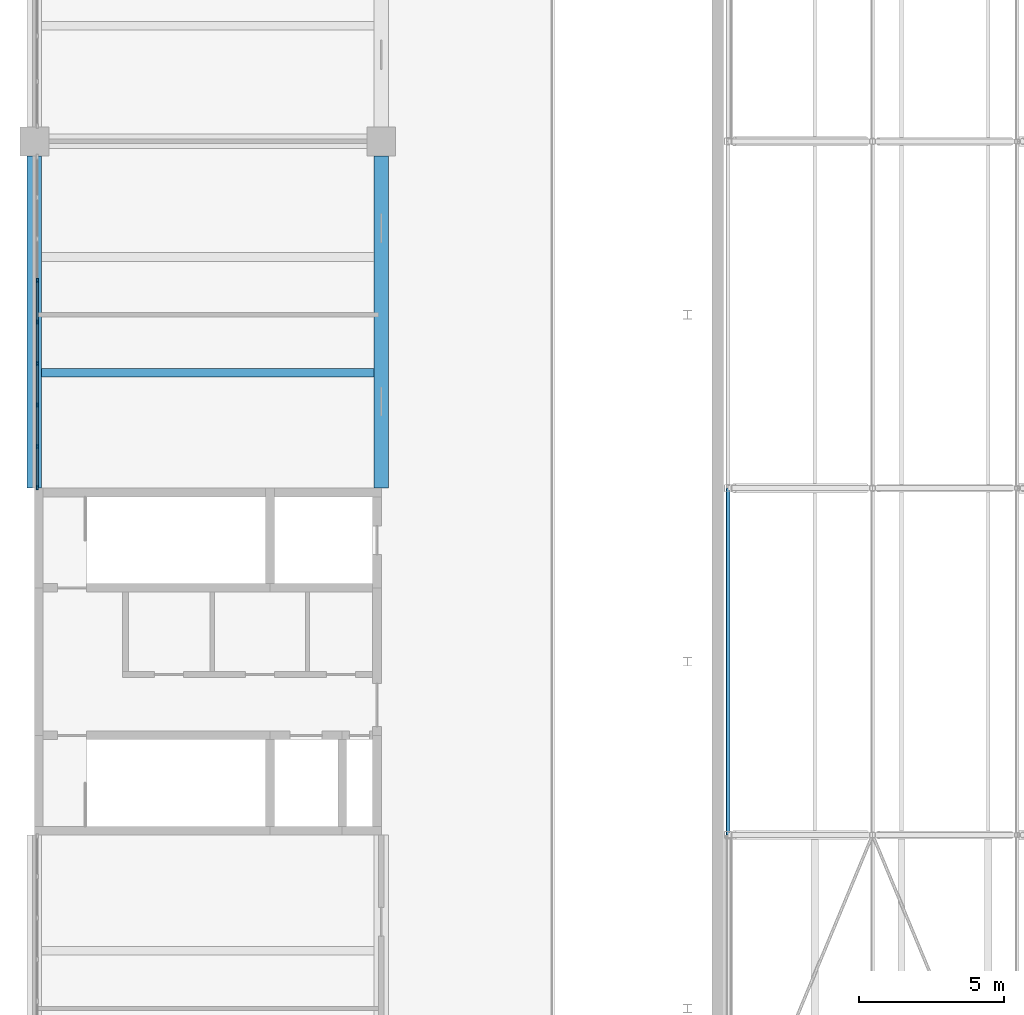
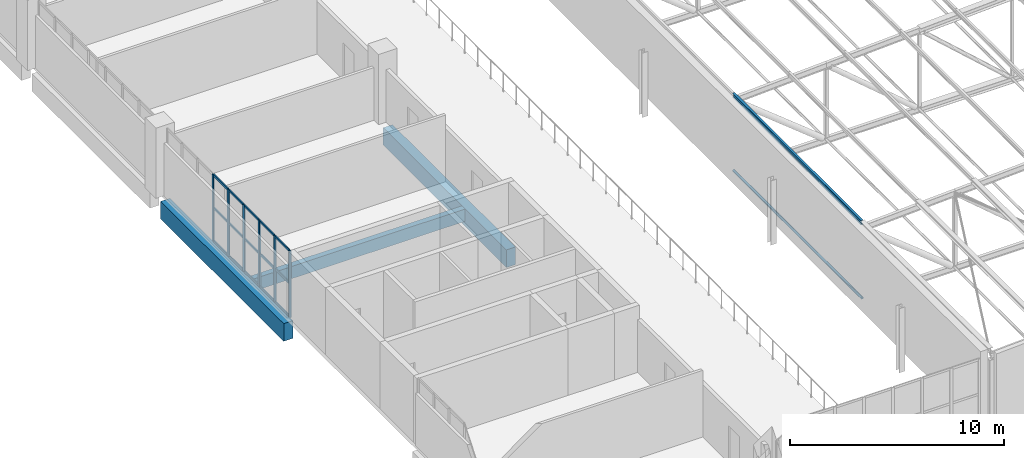
# One storey, part 11 of 156: 23 members, 3 beams, 1 element without a shape of its own.
"""IFC4 building model written with IfcOpenShell, lengths in metres."""

import ifcopenshell
import ifcopenshell.guid

model = None  # the IFC model being written
_history = None  # IfcOwnerHistory: only IFC2X3 demands one
_inside = {}  # id of a spatial element -> (the spatial element, [elements in it])
_under = {}  # id of a project, library or spatial element -> (it, [spatial elements below it])
_declared = {}  # id of a project -> (the project, [libraries it declares])
_typed = {}  # id of a type object -> (the type object, [elements of that type])
_made_of = {}  # id of a material, layer set ... -> (it, [elements and type objects made of it])


def new_model(schema):
    """Start an empty IFC model of exactly this schema.

    Asked for "IFC4X3", IfcOpenShell would pick the latest addendum, in which some entities
    have other attributes; the version numbers below select the first issue.
    IFC2X3 requires an IfcOwnerHistory on every rooted entity: one is made here for all.
    """
    global model, _history
    if schema == "IFC4X3":
        model = ifcopenshell.file(schema_version=(4, 3, 0, 0))
    else:
        model = ifcopenshell.file(schema=schema)
    _inside.clear()
    _under.clear()
    _declared.clear()
    _typed.clear()
    _made_of.clear()
    _history = None
    if model.schema == "IFC2X3":
        org = make("IfcOrganization", Name="unknown")
        user = make(
            "IfcPersonAndOrganization",
            ThePerson=make("IfcPerson", FamilyName="unknown"),
            TheOrganization=org,
        )
        app = make(
            "IfcApplication",
            ApplicationDeveloper=org,
            Version="unknown",
            ApplicationFullName="unknown",
            ApplicationIdentifier="unknown",
        )
        _history = make(
            "IfcOwnerHistory",
            OwningUser=user,
            OwningApplication=app,
            ChangeAction="ADDED",
            CreationDate=0,
        )
    return model


def make(cls, **values):
    """One entity of the class cls with the attributes given. An attribute that is None is left unset."""
    return model.create_entity(
        cls, **{name: value for name, value in values.items() if value is not None}
    )


def rooted(cls, **values):
    """An entity with a GlobalId (a new one), such as an element, a storey or a relation."""
    return make(cls, GlobalId=ifcopenshell.guid.new(), OwnerHistory=_history, **values)


def si_unit(unit_type, name, prefix=None):
    """IfcSIUnit, for example si_unit("LENGTHUNIT", "METRE", prefix="MILLI")."""
    return make("IfcSIUnit", UnitType=unit_type, Prefix=prefix, Name=name)


def assignment(units):
    """IfcUnitAssignment: the units of a project."""
    return None if units is None else make("IfcUnitAssignment", Units=units)


def point(xyz):
    """IfcCartesianPoint."""
    return None if xyz is None else make("IfcCartesianPoint", Coordinates=xyz)


def direction(xyz):
    """IfcDirection."""
    return None if xyz is None else make("IfcDirection", DirectionRatios=xyz)


def frame(location, z_axis=None, x_axis=None):
    """IfcAxis2Placement3D, a coordinate frame: its origin and axes. An axis left out is left unset."""
    return make(
        "IfcAxis2Placement3D",
        Location=point(location),
        Axis=direction(z_axis),
        RefDirection=direction(x_axis),
    )


def frame_2d(location, x_axis=None):
    """IfcAxis2Placement2D, a coordinate frame in the plane: its origin and x axis."""
    return make(
        "IfcAxis2Placement2D", Location=point(location), RefDirection=direction(x_axis)
    )


def origin():
    """The frame at (0, 0, 0) with its axes left unset."""
    return frame((0.0, 0.0, 0.0))


def origin_2d():
    """The frame at (0, 0) in the plane with its x axis left unset."""
    return frame_2d((0.0, 0.0))


def place(relative_to, where):
    """IfcLocalPlacement: puts the frame where relative to a parent placement (None: the world)."""
    return make(
        "IfcLocalPlacement", PlacementRelTo=relative_to, RelativePlacement=where
    )


def context(
    kind, dimensions, precision=None, world=None, true_north=None, identifier=None
):
    """IfcGeometricRepresentationContext, for example the 3D "Model" context."""
    return make(
        "IfcGeometricRepresentationContext",
        ContextIdentifier=identifier,
        ContextType=kind,
        CoordinateSpaceDimension=dimensions,
        Precision=precision,
        WorldCoordinateSystem=world,
        TrueNorth=true_north,
    )


def subcontext(parent, identifier, kind, view, scale=None):
    """IfcGeometricRepresentationSubContext, for example "Body" below "Model"."""
    return make(
        "IfcGeometricRepresentationSubContext",
        ContextIdentifier=identifier,
        ContextType=kind,
        ParentContext=parent,
        TargetScale=scale,
        TargetView=view,
    )


def project(units=None, contexts=None):
    """IfcProject with its units and contexts."""
    return rooted(
        "IfcProject",
        Name="project",
        RepresentationContexts=contexts,
        UnitsInContext=assignment(units),
    )


def spatial(cls, under=None, at=None, **own):
    """A site, building, storey or space (cls), placed at a placement, below another one or the project."""
    s = rooted(cls, ObjectPlacement=at, **own)
    if under is not None:
        _under.setdefault(under.id(), (under, []))[1].append(s)
    return s


def profile(cls, at=None, kind="AREA", **sizes):
    """A parametric profile (cls). Its sizes go by their IFC names, for example OverallWidth=200.0."""
    return make(cls, ProfileType=kind, Position=at, **sizes)


def rectangle(**sizes):
    """IfcRectangleProfileDef."""
    return profile("IfcRectangleProfileDef", **sizes)


def hollow_circle(**sizes):
    """IfcCircleHollowProfileDef."""
    return profile("IfcCircleHollowProfileDef", **sizes)


def i_section(**sizes):
    """IfcIShapeProfileDef."""
    return profile("IfcIShapeProfileDef", **sizes)


def extrude(swept, where, along, depth):
    """IfcExtrudedAreaSolid: the profile swept, set in the frame where, extruded along a direction by depth."""
    return make(
        "IfcExtrudedAreaSolid",
        SweptArea=swept,
        Position=where,
        ExtrudedDirection=direction(along),
        Depth=depth,
    )


def shape(context_of_items, identifier, shape_type, items):
    """IfcShapeRepresentation: the items that make up one representation, for example the "Body"."""
    return make(
        "IfcShapeRepresentation",
        ContextOfItems=context_of_items,
        RepresentationIdentifier=identifier,
        RepresentationType=shape_type,
        Items=items,
    )


def material(Name=None, Category=None):
    """IfcMaterial."""
    return make("IfcMaterial", Name=Name, Category=Category)


def layer(
    of_material, thickness, ventilated=None, Name=None, Category=None, Priority=None
):
    """IfcMaterialLayer: one layer of a wall or slab, of a material (None: an air gap)."""
    return make(
        "IfcMaterialLayer",
        Material=of_material,
        LayerThickness=thickness,
        IsVentilated=ventilated,
        Name=Name,
        Category=Category,
        Priority=Priority,
    )


def layer_set(layers, Name=None):
    """IfcMaterialLayerSet."""
    return make("IfcMaterialLayerSet", MaterialLayers=layers, LayerSetName=Name)


def material_profile(
    of_material, cross_section, Name=None, Category=None, Priority=None
):
    """IfcMaterialProfile: a cross section and its material."""
    return make(
        "IfcMaterialProfile",
        Name=Name,
        Material=of_material,
        Profile=cross_section,
        Priority=Priority,
        Category=Category,
    )


def profile_set(profiles, Name=None, composite=None):
    """IfcMaterialProfileSet."""
    return make(
        "IfcMaterialProfileSet",
        Name=Name,
        MaterialProfiles=profiles,
        CompositeProfile=composite,
    )


def made_of(thing, what):
    """Note that an element or type object is made of a material, layer set ...; save() writes the relation."""
    if what is not None:
        _made_of.setdefault(what.id(), (what, []))[1].append(thing)
    return thing


def type_object(cls, material=None, **own):
    """A type object (cls), such as IfcWallType, which elements share."""
    return made_of(rooted(cls, **own), material)


def element(
    cls,
    number,
    at=None,
    inside=None,
    cuts=None,
    type_object=None,
    material=None,
    context=None,
    identifier="Body",
    shape_type=None,
    held_by="IfcProductDefinitionShape",
    body=None,
    shapes=None,
    **own,
):
    """One element of the class cls, such as IfcWall. Its Tag is "e" and its number.

    at: its placement. inside: the storey or other place that contains it. cuts: it is an
    opening in that element (IfcRelVoidsElement). A single representation is given by context,
    identifier, shape_type and body (its items); several are given by shapes. held_by: the class
    of the entity that holds the representations. save() writes the other relations.
    """
    e = rooted(cls, Tag="e%d" % number, ObjectPlacement=at, **own)
    if body is not None:
        shapes = [shape(context, identifier, shape_type, body)]
    if shapes is not None:
        e.Representation = make(held_by, Representations=shapes)
    if inside is not None:
        _inside.setdefault(inside.id(), (inside, []))[1].append(e)
    if cuts is not None:
        rooted(
            "IfcRelVoidsElement", RelatingBuildingElement=cuts, RelatedOpeningElement=e
        )
    if type_object is not None:
        _typed.setdefault(type_object.id(), (type_object, []))[1].append(e)
    return made_of(e, material)


def aggregate(whole, parts):
    """IfcRelAggregates: a whole, such as a stair, and the parts it consists of."""
    return rooted("IfcRelAggregates", RelatingObject=whole, RelatedObjects=parts)


def save(model, path):
    """Write the relations noted so far, then the file.

    IfcRelAggregates (storeys below a building ...), IfcRelContainedInSpatialStructure (elements
    in a storey), IfcRelDefinesByType, IfcRelAssociatesMaterial and IfcRelDeclares: one each for
    every whole, place, type object, material and project.
    """
    for whole, parts in _under.values():
        aggregate(whole, parts)
    for where, things in _inside.values():
        rooted(
            "IfcRelContainedInSpatialStructure",
            RelatedElements=things,
            RelatingStructure=where,
        )
    for kind, things in _typed.values():
        rooted("IfcRelDefinesByType", RelatedObjects=things, RelatingType=kind)
    for what, things in _made_of.values():
        rooted("IfcRelAssociatesMaterial", RelatedObjects=things, RelatingMaterial=what)
    for by, libraries in _declared.values():
        rooted("IfcRelDeclares", RelatingContext=by, RelatedDefinitions=libraries)
    model.write(path)


model = new_model("IFC4")

# Units and contexts
model_context = context("Model", 3, precision=1e-05, world=origin(), true_north=direction((0.0, 1.0)))
body_context = subcontext(model_context, "Body", "Model", "MODEL_VIEW")
ifc_project = project(units=[si_unit("LENGTHUNIT", "METRE"), si_unit("AREAUNIT", "SQUARE_METRE"), si_unit("VOLUMEUNIT", "CUBIC_METRE"), si_unit("PLANEANGLEUNIT", "RADIAN"), si_unit("MASSUNIT", "GRAM", prefix="KILO")], contexts=[model_context])

# Site, building, storey
site_placement = place(None, origin())
site = spatial("IfcSite", under=ifc_project, at=site_placement, CompositionType="ELEMENT")
building_placement = place(site_placement, origin())
building = spatial("IfcBuilding", under=site, at=building_placement, Name="Lilac Gate Convention Centre", CompositionType="ELEMENT")
storey_placement = place(building_placement, frame((0.0, 0.0, 17.0)))
storey = spatial("IfcBuildingStorey", under=building, at=storey_placement, Name="L03", CompositionType="ELEMENT", Elevation=17.0)

# Member
ifc_material_1 = material(Name="Steel Q355B", Category="steel")
ifc_material_profile_1 = material_profile(ifc_material_1, hollow_circle(Radius=0.06982421875, WallThickness=0.0048828125, at=origin_2d()), Name="CHS139.7x5")
ifc_profile_set_1 = profile_set([ifc_material_profile_1], Name="Steel Q355B")
member_type_1 = type_object("IfcMemberType", Name="Bottom chord tie CHS139.7x5", PredefinedType="STRUT", material=ifc_profile_set_1)
member_1_placement = place(storey_placement, frame((30.0, 42.00341796875, 0.0), z_axis=(0.0, 1.0, 0.0), x_axis=(-1.0, 0.0, 0.0)))
element("IfcMember", 1, at=member_1_placement, inside=storey, type_object=member_type_1, Name="ST1 tie bay 2 node 1", PredefinedType="STRUT", context=body_context, shape_type="SweptSolid", body=[
    extrude(hollow_circle(Radius=0.06982421875, WallThickness=0.0048828125, at=origin_2d()), origin(), (0.0, 0.0, 1.0), 11.9931640625),
])

# Curtain wall, members
ifc_material_2 = material(Name="Aluminium framed double glazing", Category="aluminium")
ifc_layer = layer(ifc_material_2, 0.199951171875)
ifc_layer_set = layer_set([ifc_layer], Name="Aluminium framed double glazing")
curtain_wall_type = type_object("IfcCurtainWallType", Name="Unitised curtain wall 1500", PredefinedType="NOTDEFINED", material=ifc_layer_set)
curtain_wall_placement = place(storey_placement, origin())
curtain_wall = element("IfcCurtainWall", 2, at=curtain_wall_placement, inside=storey, type_object=curtain_wall_type, Name="Curtain wall PW L03 11", PredefinedType="NOTDEFINED")
ifc_material_3 = material(Name="Aluminium alloy 6063", Category="aluminium")
ifc_material_profile_2 = material_profile(ifc_material_3, rectangle(XDim=0.06005859375, YDim=0.159912109375, at=origin_2d()), Name="Curtain wall mullion 60 x 160")
ifc_profile_set_2 = profile_set([ifc_material_profile_2], Name="Aluminium alloy 6063")
member_type_2 = type_object("IfcMemberType", Name="Curtain wall mullion 60 x 160", PredefinedType="MULLION", material=ifc_profile_set_2)
member_2_placement = place(storey_placement, frame((6.10009765625, 61.1875, 0.0), z_axis=(0.0, 0.0, 1.0), x_axis=(1.0, 0.0, 0.0)))
member_2 = element("IfcMember", 3, at=member_2_placement, type_object=member_type_2, Name="CW mullion 4", PredefinedType="MULLION", context=body_context, shape_type="SweptSolid", body=[
    extrude(rectangle(XDim=0.06005859375, YDim=0.159912109375, at=origin_2d()), origin(), (0.0, 0.0, 1.0), 3.800048828125),
])
member_3_placement = place(storey_placement, frame((6.10009765625, 59.75, 0.0), z_axis=(0.0, 0.0, 1.0), x_axis=(1.0, 0.0, 0.0)))
member_3 = element("IfcMember", 4, at=member_3_placement, type_object=member_type_2, Name="CW mullion 5", PredefinedType="MULLION", context=body_context, shape_type="SweptSolid", body=[
    extrude(rectangle(XDim=0.06005859375, YDim=0.159912109375, at=origin_2d()), origin(), (0.0, 0.0, 1.0), 3.800048828125),
])
member_4_placement = place(storey_placement, frame((6.10009765625, 58.3125, 0.0), z_axis=(0.0, 0.0, 1.0), x_axis=(1.0, 0.0, 0.0)))
member_4 = element("IfcMember", 5, at=member_4_placement, type_object=member_type_2, Name="CW mullion 6", PredefinedType="MULLION", context=body_context, shape_type="SweptSolid", body=[
    extrude(rectangle(XDim=0.06005859375, YDim=0.159912109375, at=origin_2d()), origin(), (0.0, 0.0, 1.0), 3.800048828125),
])
member_5_placement = place(storey_placement, frame((6.10009765625, 56.875, 0.0), z_axis=(0.0, 0.0, 1.0), x_axis=(1.0, 0.0, 0.0)))
member_5 = element("IfcMember", 6, at=member_5_placement, type_object=member_type_2, Name="CW mullion 7", PredefinedType="MULLION", context=body_context, shape_type="SweptSolid", body=[
    extrude(rectangle(XDim=0.06005859375, YDim=0.159912109375, at=origin_2d()), origin(), (0.0, 0.0, 1.0), 3.800048828125),
])
member_6_placement = place(storey_placement, frame((6.10009765625, 55.4375, 0.0), z_axis=(0.0, 0.0, 1.0), x_axis=(1.0, 0.0, 0.0)))
member_6 = element("IfcMember", 7, at=member_6_placement, type_object=member_type_2, Name="CW mullion 8", PredefinedType="MULLION", context=body_context, shape_type="SweptSolid", body=[
    extrude(rectangle(XDim=0.06005859375, YDim=0.159912109375, at=origin_2d()), origin(), (0.0, 0.0, 1.0), 3.800048828125),
])
member_7_placement = place(storey_placement, frame((6.10009765625, 54.030029296875, 0.0), z_axis=(0.0, 0.0, 1.0), x_axis=(1.0, 0.0, 0.0)))
member_7 = element("IfcMember", 8, at=member_7_placement, type_object=member_type_2, Name="CW mullion 9", PredefinedType="MULLION", context=body_context, shape_type="SweptSolid", body=[
    extrude(rectangle(XDim=0.06005859375, YDim=0.159912109375, at=origin_2d()), origin(), (0.0, 0.0, 1.0), 3.800048828125),
])
ifc_material_profile_3 = material_profile(ifc_material_3, rectangle(XDim=0.06005859375, YDim=0.1201171875, at=origin_2d()), Name="Curtain wall transom 60 x 120")
ifc_profile_set_3 = profile_set([ifc_material_profile_3], Name="Aluminium alloy 6063")
member_type_3 = type_object("IfcMemberType", Name="Curtain wall transom 60 x 120", PredefinedType="USERDEFINED", material=ifc_profile_set_3)
member_8_placement = place(storey_placement, frame((6.10009765625, 61.157470703125, 0.030029296875), z_axis=(0.0, -1.0, 0.0), x_axis=(1.0, 0.0, 0.0)))
member_8 = element("IfcMember", 9, at=member_8_placement, type_object=member_type_3, Name="CW transom 4.1", ObjectType="TRANSOM", PredefinedType="USERDEFINED", context=body_context, shape_type="SweptSolid", body=[
    extrude(rectangle(XDim=0.06005859375, YDim=0.1201171875, at=origin_2d()), origin(), (0.0, 0.0, 1.0), 1.37744140625),
])
member_9_placement = place(storey_placement, frame((6.10009765625, 61.157470703125, 1.89990234375), z_axis=(0.0, -1.0, 0.0), x_axis=(1.0, 0.0, 0.0)))
member_9 = element("IfcMember", 10, at=member_9_placement, type_object=member_type_3, Name="CW transom 4.2", ObjectType="TRANSOM", PredefinedType="USERDEFINED", context=body_context, shape_type="SweptSolid", body=[
    extrude(rectangle(XDim=0.06005859375, YDim=0.1201171875, at=origin_2d()), origin(), (0.0, 0.0, 1.0), 1.37744140625),
])
member_10_placement = place(storey_placement, frame((6.10009765625, 61.157470703125, 3.77001953125), z_axis=(0.0, -1.0, 0.0), x_axis=(1.0, 0.0, 0.0)))
member_10 = element("IfcMember", 11, at=member_10_placement, type_object=member_type_3, Name="CW transom 4.3", ObjectType="TRANSOM", PredefinedType="USERDEFINED", context=body_context, shape_type="SweptSolid", body=[
    extrude(rectangle(XDim=0.06005859375, YDim=0.1201171875, at=origin_2d()), origin(), (0.0, 0.0, 1.0), 1.37744140625),
])
member_11_placement = place(storey_placement, frame((6.10009765625, 59.719970703125, 0.030029296875), z_axis=(0.0, -1.0, 0.0), x_axis=(1.0, 0.0, 0.0)))
member_11 = element("IfcMember", 12, at=member_11_placement, type_object=member_type_3, Name="CW transom 5.1", ObjectType="TRANSOM", PredefinedType="USERDEFINED", context=body_context, shape_type="SweptSolid", body=[
    extrude(rectangle(XDim=0.06005859375, YDim=0.1201171875, at=origin_2d()), origin(), (0.0, 0.0, 1.0), 1.37744140625),
])
member_12_placement = place(storey_placement, frame((6.10009765625, 59.719970703125, 1.89990234375), z_axis=(0.0, -1.0, 0.0), x_axis=(1.0, 0.0, 0.0)))
member_12 = element("IfcMember", 13, at=member_12_placement, type_object=member_type_3, Name="CW transom 5.2", ObjectType="TRANSOM", PredefinedType="USERDEFINED", context=body_context, shape_type="SweptSolid", body=[
    extrude(rectangle(XDim=0.06005859375, YDim=0.1201171875, at=origin_2d()), origin(), (0.0, 0.0, 1.0), 1.37744140625),
])
member_13_placement = place(storey_placement, frame((6.10009765625, 59.719970703125, 3.77001953125), z_axis=(0.0, -1.0, 0.0), x_axis=(1.0, 0.0, 0.0)))
member_13 = element("IfcMember", 14, at=member_13_placement, type_object=member_type_3, Name="CW transom 5.3", ObjectType="TRANSOM", PredefinedType="USERDEFINED", context=body_context, shape_type="SweptSolid", body=[
    extrude(rectangle(XDim=0.06005859375, YDim=0.1201171875, at=origin_2d()), origin(), (0.0, 0.0, 1.0), 1.37744140625),
])
member_14_placement = place(storey_placement, frame((6.10009765625, 58.282470703125, 0.030029296875), z_axis=(0.0, -1.0, 0.0), x_axis=(1.0, 0.0, 0.0)))
member_14 = element("IfcMember", 15, at=member_14_placement, type_object=member_type_3, Name="CW transom 6.1", ObjectType="TRANSOM", PredefinedType="USERDEFINED", context=body_context, shape_type="SweptSolid", body=[
    extrude(rectangle(XDim=0.06005859375, YDim=0.1201171875, at=origin_2d()), origin(), (0.0, 0.0, 1.0), 1.37744140625),
])
member_15_placement = place(storey_placement, frame((6.10009765625, 58.282470703125, 1.89990234375), z_axis=(0.0, -1.0, 0.0), x_axis=(1.0, 0.0, 0.0)))
member_15 = element("IfcMember", 16, at=member_15_placement, type_object=member_type_3, Name="CW transom 6.2", ObjectType="TRANSOM", PredefinedType="USERDEFINED", context=body_context, shape_type="SweptSolid", body=[
    extrude(rectangle(XDim=0.06005859375, YDim=0.1201171875, at=origin_2d()), origin(), (0.0, 0.0, 1.0), 1.37744140625),
])
member_16_placement = place(storey_placement, frame((6.10009765625, 58.282470703125, 3.77001953125), z_axis=(0.0, -1.0, 0.0), x_axis=(1.0, 0.0, 0.0)))
member_16 = element("IfcMember", 17, at=member_16_placement, type_object=member_type_3, Name="CW transom 6.3", ObjectType="TRANSOM", PredefinedType="USERDEFINED", context=body_context, shape_type="SweptSolid", body=[
    extrude(rectangle(XDim=0.06005859375, YDim=0.1201171875, at=origin_2d()), origin(), (0.0, 0.0, 1.0), 1.37744140625),
])
member_17_placement = place(storey_placement, frame((6.10009765625, 56.844970703125, 0.030029296875), z_axis=(0.0, -1.0, 0.0), x_axis=(1.0, 0.0, 0.0)))
member_17 = element("IfcMember", 18, at=member_17_placement, type_object=member_type_3, Name="CW transom 7.1", ObjectType="TRANSOM", PredefinedType="USERDEFINED", context=body_context, shape_type="SweptSolid", body=[
    extrude(rectangle(XDim=0.06005859375, YDim=0.1201171875, at=origin_2d()), origin(), (0.0, 0.0, 1.0), 1.37744140625),
])
member_18_placement = place(storey_placement, frame((6.10009765625, 56.844970703125, 1.89990234375), z_axis=(0.0, -1.0, 0.0), x_axis=(1.0, 0.0, 0.0)))
member_18 = element("IfcMember", 19, at=member_18_placement, type_object=member_type_3, Name="CW transom 7.2", ObjectType="TRANSOM", PredefinedType="USERDEFINED", context=body_context, shape_type="SweptSolid", body=[
    extrude(rectangle(XDim=0.06005859375, YDim=0.1201171875, at=origin_2d()), origin(), (0.0, 0.0, 1.0), 1.37744140625),
])
member_19_placement = place(storey_placement, frame((6.10009765625, 56.844970703125, 3.77001953125), z_axis=(0.0, -1.0, 0.0), x_axis=(1.0, 0.0, 0.0)))
member_19 = element("IfcMember", 20, at=member_19_placement, type_object=member_type_3, Name="CW transom 7.3", ObjectType="TRANSOM", PredefinedType="USERDEFINED", context=body_context, shape_type="SweptSolid", body=[
    extrude(rectangle(XDim=0.06005859375, YDim=0.1201171875, at=origin_2d()), origin(), (0.0, 0.0, 1.0), 1.37744140625),
])
member_20_placement = place(storey_placement, frame((6.10009765625, 55.407470703125, 0.030029296875), z_axis=(0.0, -1.0, 0.0), x_axis=(1.0, 0.0, 0.0)))
member_20 = element("IfcMember", 21, at=member_20_placement, type_object=member_type_3, Name="CW transom 8.1", ObjectType="TRANSOM", PredefinedType="USERDEFINED", context=body_context, shape_type="SweptSolid", body=[
    extrude(rectangle(XDim=0.06005859375, YDim=0.1201171875, at=origin_2d()), origin(), (0.0, 0.0, 1.0), 1.347412109375),
])
member_21_placement = place(storey_placement, frame((6.10009765625, 55.407470703125, 1.89990234375), z_axis=(0.0, -1.0, 0.0), x_axis=(1.0, 0.0, 0.0)))
member_21 = element("IfcMember", 22, at=member_21_placement, type_object=member_type_3, Name="CW transom 8.2", ObjectType="TRANSOM", PredefinedType="USERDEFINED", context=body_context, shape_type="SweptSolid", body=[
    extrude(rectangle(XDim=0.06005859375, YDim=0.1201171875, at=origin_2d()), origin(), (0.0, 0.0, 1.0), 1.347412109375),
])
member_22_placement = place(storey_placement, frame((6.10009765625, 55.407470703125, 3.77001953125), z_axis=(0.0, -1.0, 0.0), x_axis=(1.0, 0.0, 0.0)))
member_22 = element("IfcMember", 23, at=member_22_placement, type_object=member_type_3, Name="CW transom 8.3", ObjectType="TRANSOM", PredefinedType="USERDEFINED", context=body_context, shape_type="SweptSolid", body=[
    extrude(rectangle(XDim=0.06005859375, YDim=0.1201171875, at=origin_2d()), origin(), (0.0, 0.0, 1.0), 1.347412109375),
])
aggregate(curtain_wall, [member_2, member_3, member_4, member_5, member_6, member_7, member_8, member_9, member_10, member_11, member_12, member_13, member_14, member_15, member_16, member_17, member_18, member_19, member_20, member_21, member_22])

# Beams
ifc_material_4 = material(Name="Concrete C40", Category="concrete")
ifc_material_profile_4 = material_profile(ifc_material_4, rectangle(XDim=0.5, YDim=1.0, at=origin_2d()), Name="RC 500x1000")
ifc_profile_set_4 = profile_set([ifc_material_profile_4], Name="Concrete C40")
beam_type_1 = type_object("IfcBeamType", Name="Primary beam 500x1000 C40", PredefinedType="BEAM", material=ifc_profile_set_4)
for number, where, z_axis, x_axis, name in (
    (24, (6.0, 54.0, -0.75), (0.0, 1.0, 0.0), (-1.0, 0.0, 0.0), "RB1 L03 1/C-1/D"),
    (25, (18.0, 54.0, -0.75), (0.0, 1.0, 0.0), (-1.0, 0.0, 0.0), "RB1 L03 2/C-2/D"),
):
    element("IfcBeam", number, at=place(storey_placement, frame(where, z_axis=z_axis, x_axis=x_axis)), inside=storey, type_object=beam_type_1, Name=name, PredefinedType="BEAM", context=body_context, shape_type="SweptSolid", body=[
        extrude(rectangle(XDim=0.5, YDim=1.0, at=origin_2d()), origin(), (0.0, 0.0, 1.0), 11.5),
    ])

# Member
ifc_material_profile_5 = material_profile(ifc_material_1, i_section(OverallWidth=0.125, OverallDepth=0.25, WebThickness=0.006103515625, FlangeThickness=0.009033203125, FilletRadius=0.008056640625, at=origin_2d()), Name="HN250x125x6x9")
ifc_profile_set_5 = profile_set([ifc_material_profile_5], Name="Steel Q355B")
member_type_4 = type_object("IfcMemberType", Name="Roof purlin HN250x125x6x9", PredefinedType="PURLIN", material=ifc_profile_set_5)
member_23_placement = place(storey_placement, frame((30.0, 42.0, 4.30029296875), z_axis=(0.0, 1.0, 0.0), x_axis=(-1.0, 0.0, 0.0)))
element("IfcMember", 26, at=member_23_placement, inside=storey, type_object=member_type_4, Name="PU2 purlin bay 2 line 1", PredefinedType="PURLIN", context=body_context, shape_type="SweptSolid", body=[
    extrude(i_section(OverallWidth=0.125, OverallDepth=0.25, WebThickness=0.006103515625, FlangeThickness=0.009033203125, FilletRadius=0.008056640625, at=origin_2d()), origin(), (0.0, 0.0, 1.0), 12.0),
])

# Beam
ifc_material_profile_6 = material_profile(ifc_material_4, rectangle(XDim=0.300048828125, YDim=0.699951171875, at=origin_2d()), Name="RC 300x700")
ifc_profile_set_6 = profile_set([ifc_material_profile_6], Name="Concrete C40")
beam_type_2 = type_object("IfcBeamType", Name="Secondary beam 300x700 C40", PredefinedType="BEAM", material=ifc_profile_set_6)
beam_placement = place(storey_placement, frame((6.25, 58.0, -0.60009765625), z_axis=(1.0, 0.0, 0.0), x_axis=(0.0, 1.0, 0.0)))
element("IfcBeam", 27, at=beam_placement, inside=storey, type_object=beam_type_2, Name="RB2 L03 bay 1/C", PredefinedType="BEAM", context=body_context, shape_type="SweptSolid", body=[
    extrude(rectangle(XDim=0.300048828125, YDim=0.699951171875, at=origin_2d()), origin(), (0.0, 0.0, 1.0), 11.5),
])

save(model, "model.ifc")
